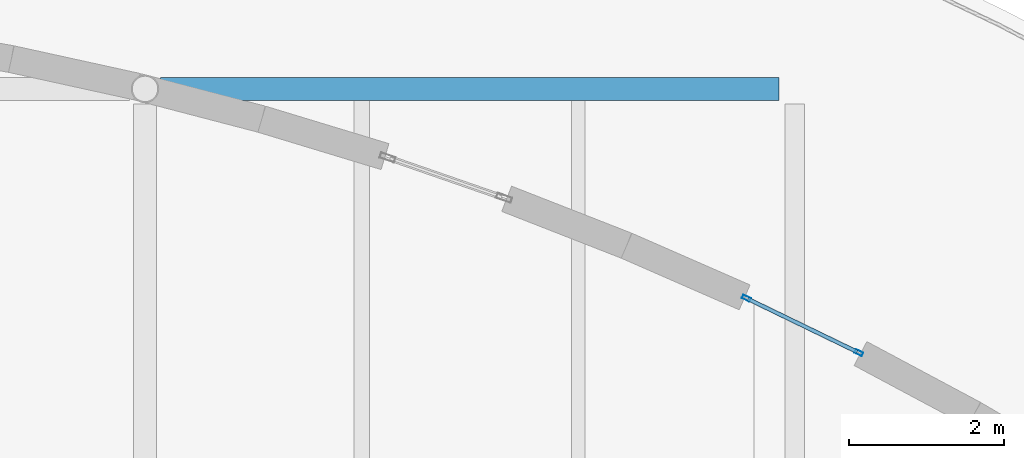
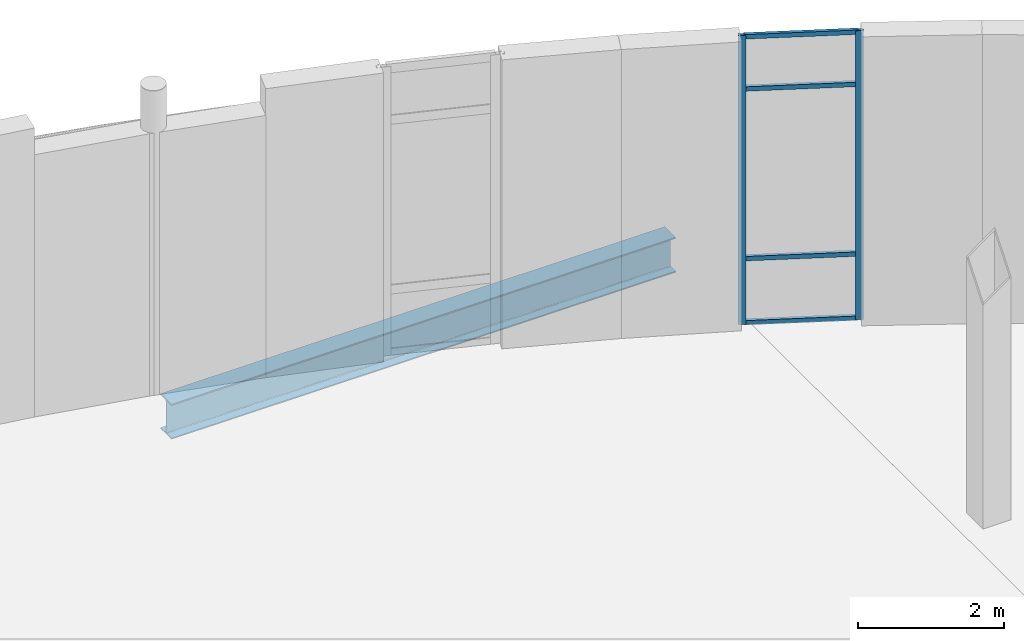
# One storey, part 39 of 91: 6 members, 1 beam, 1 element without a shape of its own.
"""IFC4 building model written with IfcOpenShell, lengths in metres."""

from ifc_helpers import new_model, si_unit, direction, frame, origin, origin_2d, place, context, subcontext, project, spatial, hollow_rectangle, i_section, extrude, material, layer, layer_set, material_profile, profile_set, type_object, element, aggregate, save


model = new_model("IFC4")

# Units and contexts
model_context = context("Model", 3, precision=1e-05, world=origin(), true_north=direction((0.0, 1.0)))
body_context = subcontext(model_context, "Body", "Model", "MODEL_VIEW")
ifc_project = project(units=[si_unit("LENGTHUNIT", "METRE"), si_unit("AREAUNIT", "SQUARE_METRE"), si_unit("VOLUMEUNIT", "CUBIC_METRE"), si_unit("PLANEANGLEUNIT", "RADIAN"), si_unit("MASSUNIT", "GRAM", prefix="KILO"), si_unit("THERMODYNAMICTEMPERATUREUNIT", "KELVIN")], contexts=[model_context])

# Site, building, storey
site_placement = place(None, origin())
site = spatial("IfcSite", under=ifc_project, at=site_placement, CompositionType="ELEMENT")
building_placement = place(site_placement, origin())
building = spatial("IfcBuilding", under=site, at=building_placement, Name="Lustrewick Department Store", CompositionType="ELEMENT")
storey_placement = place(building_placement, frame((0.0, 0.0, 21.60009765625)))
storey = spatial("IfcBuildingStorey", under=building, at=storey_placement, Name="L05", CompositionType="ELEMENT", Elevation=21.60009765625)

# Curtain wall, members
ifc_material_1 = material(Name="Thermally broken aluminium 6063-T5", Category="aluminium")
ifc_layer = layer(ifc_material_1, 0.110107421875, Name="Thermally broken aluminium 6063-T5")
ifc_layer_set = layer_set([ifc_layer], Name="Thermally broken aluminium 6063-T5")
curtain_wall_type = type_object("IfcCurtainWallType", Name="CW09", PredefinedType="NOTDEFINED", material=ifc_layer_set)
curtain_wall_placement = place(storey_placement, origin())
curtain_wall = element("IfcCurtainWall", 1, at=curtain_wall_placement, inside=storey, type_object=curtain_wall_type, Name="L05 V4 Curtain Wall CW09", PredefinedType="NOTDEFINED")
ifc_material_profile_1 = material_profile(ifc_material_1, hollow_rectangle(XDim=0.050048828125, YDim=0.110107421875, WallThickness=0.0029296875, at=origin_2d()), Name="ALU-M 50x110x3")
ifc_profile_set_1 = profile_set([ifc_material_profile_1], Name="Thermally broken aluminium 6063-T5")
member_type_1 = type_object("IfcMemberType", Name="CW09-M1", PredefinedType="MULLION", material=ifc_profile_set_1)
member_1_placement = place(storey_placement, frame((135.226806640625, 97.3896484375, 0.0), z_axis=(0.0, 0.0, 1.0), x_axis=(-0.436417920095, -0.899744074179, 0.0)))
member_1 = element("IfcMember", 2, at=member_1_placement, type_object=member_type_1, Name="CW09 mullion 1", PredefinedType="MULLION", context=body_context, shape_type="SweptSolid", body=[
    extrude(hollow_rectangle(XDim=0.050048828125, YDim=0.110107421875, WallThickness=0.0029296875, at=origin_2d()), origin(), (0.0, 0.0, 1.0), 4.844970703125),
])
member_2_placement = place(storey_placement, frame((133.773681640625, 98.094482421875, 0.0), z_axis=(0.0, 0.0, 1.0), x_axis=(-0.436417920095, -0.899744074179, 0.0)))
member_2 = element("IfcMember", 3, at=member_2_placement, type_object=member_type_1, Name="CW09 mullion 2", PredefinedType="MULLION", context=body_context, shape_type="SweptSolid", body=[
    extrude(hollow_rectangle(XDim=0.050048828125, YDim=0.110107421875, WallThickness=0.0029296875, at=origin_2d()), origin(), (0.0, 0.0, 1.0), 4.844970703125),
])
ifc_material_profile_2 = material_profile(ifc_material_1, hollow_rectangle(XDim=0.050048828125, YDim=0.074951171875, WallThickness=0.0029296875, at=origin_2d()), Name="ALU-T 50x75x3")
ifc_profile_set_2 = profile_set([ifc_material_profile_2], Name="Thermally broken aluminium 6063-T5")
member_type_2 = type_object("IfcMemberType", Name="CW09-T1", PredefinedType="USERDEFINED", material=ifc_profile_set_2)
member_3_placement = place(storey_placement, frame((135.2041015625, 97.400634765625, 0.02490234375), z_axis=(-0.899760276771, 0.436384514328, 0.0), x_axis=(-0.436384514328, -0.899760276771, 0.0)))
member_3 = element("IfcMember", 4, at=member_3_placement, type_object=member_type_2, Name="CW09 transom 1.1", ObjectType="TRANSOM", PredefinedType="USERDEFINED", context=body_context, shape_type="SweptSolid", body=[
    extrude(hollow_rectangle(XDim=0.050048828125, YDim=0.074951171875, WallThickness=0.0029296875, at=origin_2d()), origin(), (0.0, 0.0, 1.0), 1.564697265625),
])
member_4_placement = place(storey_placement, frame((135.2041015625, 97.400634765625, 1.099853515625), z_axis=(-0.899760276771, 0.436384514328, 0.0), x_axis=(-0.436384514328, -0.899760276771, 0.0)))
member_4 = element("IfcMember", 5, at=member_4_placement, type_object=member_type_2, Name="CW09 transom 1.2", ObjectType="TRANSOM", PredefinedType="USERDEFINED", context=body_context, shape_type="SweptSolid", body=[
    extrude(hollow_rectangle(XDim=0.050048828125, YDim=0.074951171875, WallThickness=0.0029296875, at=origin_2d()), origin(), (0.0, 0.0, 1.0), 1.564697265625),
])
member_5_placement = place(storey_placement, frame((135.2041015625, 97.400634765625, 3.94482421875), z_axis=(-0.899760276771, 0.436384514328, 0.0), x_axis=(-0.436384514328, -0.899760276771, 0.0)))
member_5 = element("IfcMember", 6, at=member_5_placement, type_object=member_type_2, Name="CW09 transom 1.3", ObjectType="TRANSOM", PredefinedType="USERDEFINED", context=body_context, shape_type="SweptSolid", body=[
    extrude(hollow_rectangle(XDim=0.050048828125, YDim=0.074951171875, WallThickness=0.0029296875, at=origin_2d()), origin(), (0.0, 0.0, 1.0), 1.564697265625),
])
member_6_placement = place(storey_placement, frame((135.2041015625, 97.400634765625, 4.81982421875), z_axis=(-0.899760276771, 0.436384514328, 0.0), x_axis=(-0.436384514328, -0.899760276771, 0.0)))
member_6 = element("IfcMember", 7, at=member_6_placement, type_object=member_type_2, Name="CW09 transom 1.4", ObjectType="TRANSOM", PredefinedType="USERDEFINED", context=body_context, shape_type="SweptSolid", body=[
    extrude(hollow_rectangle(XDim=0.050048828125, YDim=0.074951171875, WallThickness=0.0029296875, at=origin_2d()), origin(), (0.0, 0.0, 1.0), 1.564697265625),
])
aggregate(curtain_wall, [member_1, member_2, member_3, member_4, member_5, member_6])

# Beam
ifc_material_2 = material(Name="Structural steel Q355B", Category="steel")
ifc_material_profile_3 = material_profile(ifc_material_2, i_section(OverallWidth=0.300048828125, OverallDepth=0.587890625, WebThickness=0.011962890625, FlangeThickness=0.02001953125, FilletRadius=0.02392578125, at=origin_2d()), Name="HM 588x300x12x20")
ifc_profile_set_3 = profile_set([ifc_material_profile_3], Name="Structural steel Q355B")
beam_type = type_object("IfcBeamType", Name="G11", PredefinedType="BEAM", material=ifc_profile_set_3)
beam_placement = place(storey_placement, frame((126.200927734375, 100.800048828125, -0.549072265625), z_axis=(1.0, 0.0, 0.0), x_axis=(0.0, 1.0, 0.0)))
element("IfcBeam", 8, at=beam_placement, inside=storey, type_object=beam_type, Name="L05 V4 Girder G11", PredefinedType="BEAM", context=body_context, shape_type="SweptSolid", body=[
    extrude(i_section(OverallWidth=0.300048828125, OverallDepth=0.587890625, WebThickness=0.011962890625, FlangeThickness=0.02001953125, FilletRadius=0.02392578125, at=origin_2d()), origin(), (0.0, 0.0, 1.0), 7.998046875),
])

save(model, "model.ifc")
